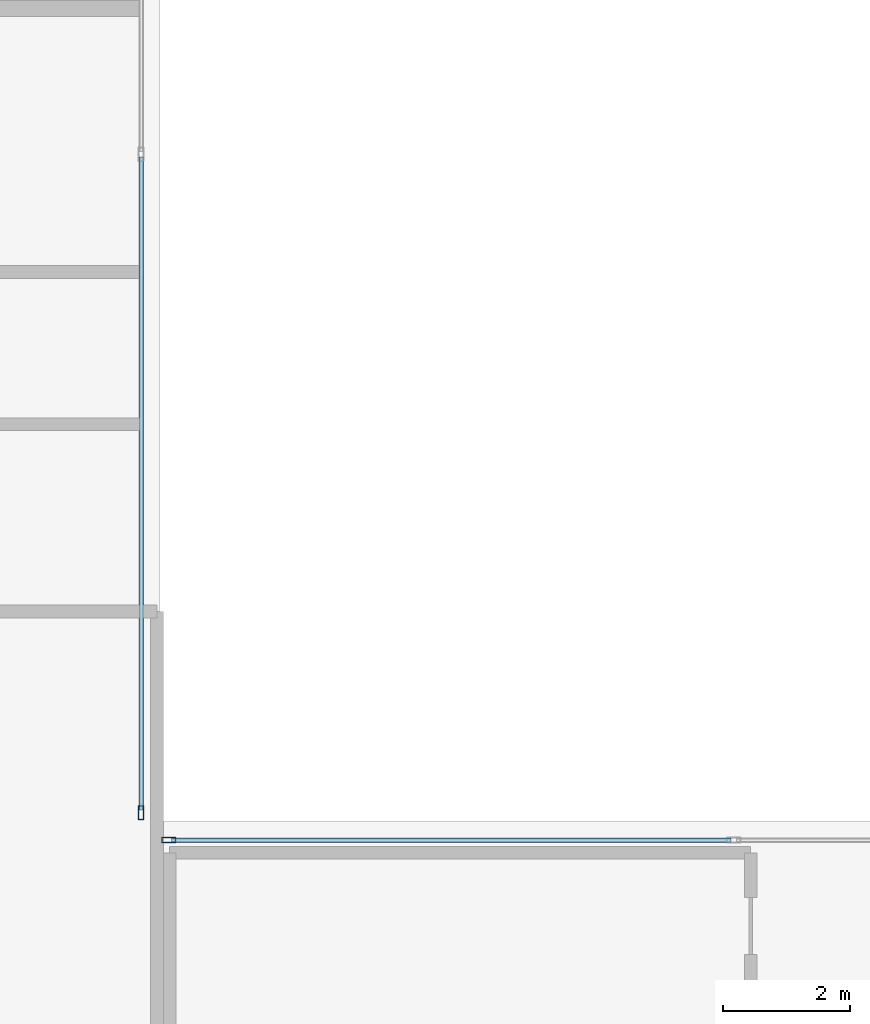
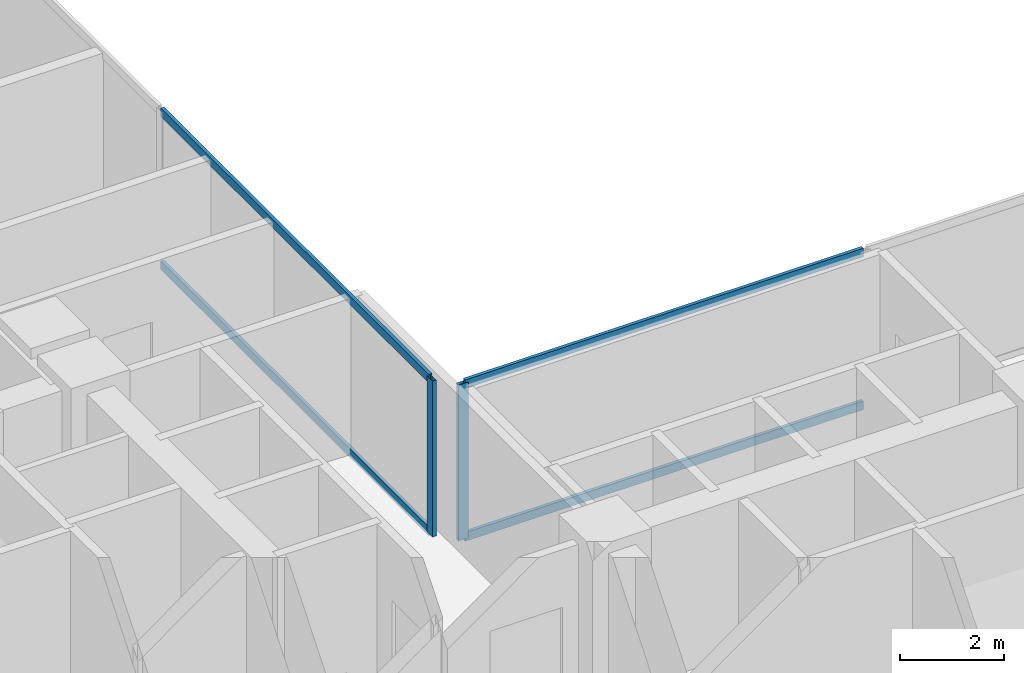
# One storey, part 7 of 25: 6 members, 2 elements without a shape of their own.
"""IFC4 building model written with IfcOpenShell, lengths in metres."""

from ifc_helpers import new_model, si_unit, direction, frame, origin, origin_2d, place, context, subcontext, project, spatial, hollow_rectangle, extrude, material, layer, layer_set, material_profile, profile_set, type_object, element, aggregate, save


model = new_model("IFC4")

# Units and contexts
model_context = context("Model", 3, precision=1e-05, world=origin(), true_north=direction((0.0, 1.0)))
body_context = subcontext(model_context, "Body", "Model", "MODEL_VIEW")
ifc_project = project(units=[si_unit("LENGTHUNIT", "METRE"), si_unit("AREAUNIT", "SQUARE_METRE"), si_unit("VOLUMEUNIT", "CUBIC_METRE"), si_unit("PLANEANGLEUNIT", "RADIAN"), si_unit("MASSUNIT", "GRAM", prefix="KILO"), si_unit("THERMODYNAMICTEMPERATUREUNIT", "KELVIN"), si_unit("POWERUNIT", "WATT")], contexts=[model_context])

# Site, building, storey
site_placement = place(None, origin())
site = spatial("IfcSite", under=ifc_project, at=site_placement, CompositionType="ELEMENT")
building_placement = place(site_placement, origin())
building = spatial("IfcBuilding", under=site, at=building_placement, Name="Svarakhadi Broadcast Tower", CompositionType="ELEMENT")
storey_placement = place(building_placement, frame((0.0, 0.0, 79.199951171875)))
storey = spatial("IfcBuildingStorey", under=building, at=storey_placement, Name="L18", CompositionType="ELEMENT", Elevation=79.199951171875)

# Curtain wall, member
ifc_material = material(Name="Anodised Bronze Aluminium AA 6063-T6", Category="aluminium")
ifc_layer = layer(ifc_material, 0.219970703125)
ifc_layer_set = layer_set([ifc_layer], Name="Anodised Bronze Aluminium AA 6063-T6")
curtain_wall_type = type_object("IfcCurtainWallType", Name="CW_Sys_02", PredefinedType="NOTDEFINED", material=ifc_layer_set)
curtain_wall_1_placement = place(storey_placement, origin())
curtain_wall_1 = element("IfcCurtainWall", 1, at=curtain_wall_1_placement, inside=storey, type_object=curtain_wall_type, Name="L18 Unitised Facade Curtain Wall 09", PredefinedType="NOTDEFINED")
ifc_material_profile_1 = material_profile(ifc_material, hollow_rectangle(XDim=0.0849609375, YDim=0.219970703125, WallThickness=0.006103515625, at=origin_2d()), Name="ALU MULLION 220x85x6")
ifc_profile_set_1 = profile_set([ifc_material_profile_1], Name="Anodised Bronze Aluminium AA 6063-T6")
member_type_1 = type_object("IfcMemberType", Name="CW_Sys_02_Mul", PredefinedType="MULLION", material=ifc_profile_set_1)
member_1_placement = place(storey_placement, frame((23.699951171875, 24.132568359375, 0.0), z_axis=(0.0, 0.0, 1.0), x_axis=(1.0, 0.0, 0.0)))
member_1 = element("IfcMember", 2, at=member_1_placement, type_object=member_type_1, Name="CW-02 mullion 3", PredefinedType="MULLION", context=body_context, shape_type="SweptSolid", body=[
    extrude(hollow_rectangle(XDim=0.0849609375, YDim=0.219970703125, WallThickness=0.006103515625, at=origin_2d()), origin(), (0.0, 0.0, 1.0), 3.650146484375),
])

curtain_wall_2_placement = place(storey_placement, origin())
curtain_wall_2 = element("IfcCurtainWall", 3, at=curtain_wall_2_placement, inside=storey, type_object=curtain_wall_type, Name="L18 Unitised Facade Curtain Wall 10", PredefinedType="NOTDEFINED")
member_2_placement = place(storey_placement, frame((24.132568359375, 23.699951171875, 0.0), z_axis=(0.0, 0.0, 1.0), x_axis=(0.0, 1.0, 0.0)))
member_2 = element("IfcMember", 4, at=member_2_placement, type_object=member_type_1, Name="CW-02 mullion 1", PredefinedType="MULLION", context=body_context, shape_type="SweptSolid", body=[
    extrude(hollow_rectangle(XDim=0.0849609375, YDim=0.219970703125, WallThickness=0.006103515625, at=origin_2d()), origin(), (0.0, 0.0, 1.0), 3.650146484375),
])

# Member
ifc_material_profile_2 = material_profile(ifc_material, hollow_rectangle(XDim=0.074951171875, YDim=0.199951171875, WallThickness=0.0048828125, at=origin_2d()), Name="ALU TRANSOM 200x75x5")
ifc_profile_set_2 = profile_set([ifc_material_profile_2], Name="Anodised Bronze Aluminium AA 6063-T6")
member_type_2 = type_object("IfcMemberType", Name="CW_Sys_02_Trn", PredefinedType="USERDEFINED", material=ifc_profile_set_2)
member_3_placement = place(storey_placement, frame((23.699951171875, 34.45751953125, 0.03759765625), z_axis=(0.0, -1.0, 0.0), x_axis=(1.0, 0.0, 0.0)))
member_3 = element("IfcMember", 5, at=member_3_placement, type_object=member_type_2, Name="CW-02 transom 2.1", ObjectType="TRANSOM", PredefinedType="USERDEFINED", context=body_context, shape_type="SweptSolid", body=[
    extrude(hollow_rectangle(XDim=0.074951171875, YDim=0.199951171875, WallThickness=0.0048828125, at=origin_2d()), origin(), (0.0, 0.0, 1.0), 10.282470703125),
])

member_4_placement = place(storey_placement, frame((23.699951171875, 34.45751953125, 3.612548828125), z_axis=(0.0, -1.0, 0.0), x_axis=(1.0, 0.0, 0.0)))
member_4 = element("IfcMember", 6, at=member_4_placement, type_object=member_type_2, Name="CW-02 transom 2.2", ObjectType="TRANSOM", PredefinedType="USERDEFINED", context=body_context, shape_type="SweptSolid", body=[
    extrude(hollow_rectangle(XDim=0.074951171875, YDim=0.199951171875, WallThickness=0.0048828125, at=origin_2d()), origin(), (0.0, 0.0, 1.0), 10.282470703125),
])

aggregate(curtain_wall_1, [member_1, member_3, member_4])

member_5_placement = place(storey_placement, frame((24.175048828125, 23.699951171875, 0.03759765625), z_axis=(1.0, 0.0, 0.0), x_axis=(0.0, 1.0, 0.0)))
member_5 = element("IfcMember", 7, at=member_5_placement, type_object=member_type_2, Name="CW-02 transom 1.1", ObjectType="TRANSOM", PredefinedType="USERDEFINED", context=body_context, shape_type="SweptSolid", body=[
    extrude(hollow_rectangle(XDim=0.074951171875, YDim=0.199951171875, WallThickness=0.0048828125, at=origin_2d()), origin(), (0.0, 0.0, 1.0), 8.8125),
])

member_6_placement = place(storey_placement, frame((24.175048828125, 23.699951171875, 3.612548828125), z_axis=(1.0, 0.0, 0.0), x_axis=(0.0, 1.0, 0.0)))
member_6 = element("IfcMember", 8, at=member_6_placement, type_object=member_type_2, Name="CW-02 transom 1.2", ObjectType="TRANSOM", PredefinedType="USERDEFINED", context=body_context, shape_type="SweptSolid", body=[
    extrude(hollow_rectangle(XDim=0.074951171875, YDim=0.199951171875, WallThickness=0.0048828125, at=origin_2d()), origin(), (0.0, 0.0, 1.0), 8.8125),
])

aggregate(curtain_wall_2, [member_2, member_5, member_6])

save(model, "model.ifc")
